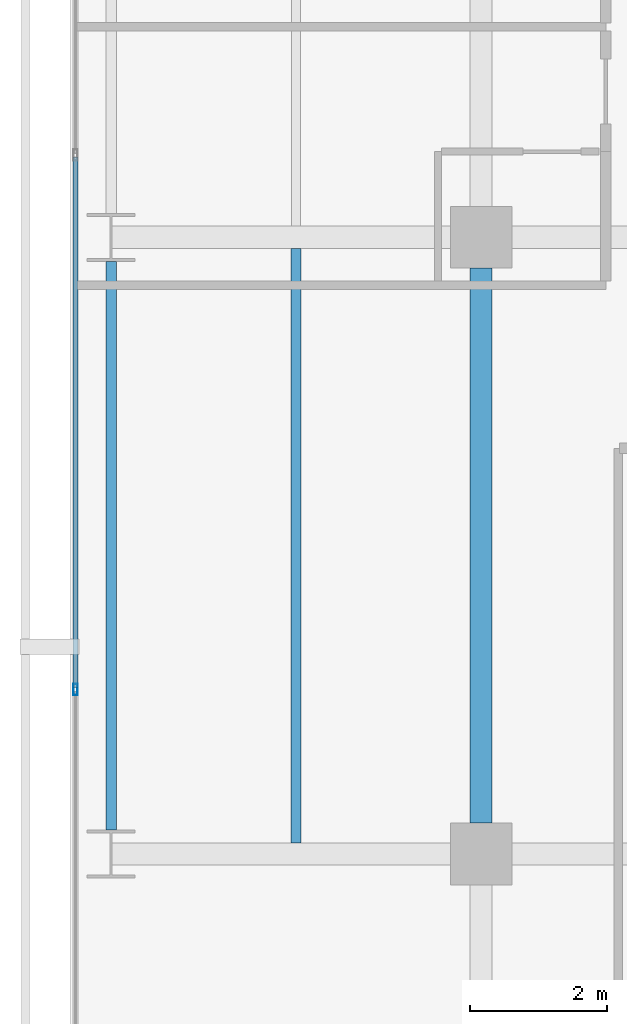
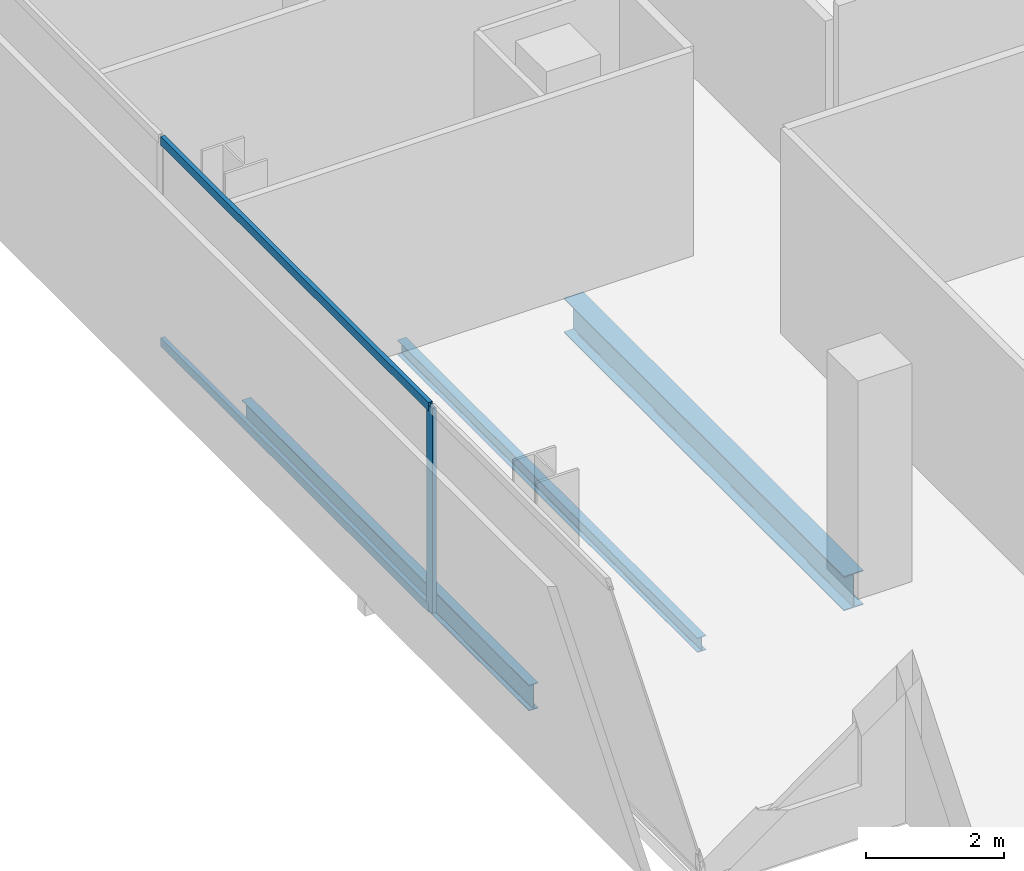
# One storey, part 5 of 40: 3 beams, 3 members, 1 element without a shape of its own.
"""IFC4 building model written with IfcOpenShell, lengths in metres."""

from ifc_helpers import new_model, si_unit, direction, frame, origin, origin_2d, place, context, subcontext, project, spatial, hollow_rectangle, i_section, extrude, material, layer, layer_set, material_profile, profile_set, type_object, element, aggregate, save


model = new_model("IFC4")

# Units and contexts
model_context = context("Model", 3, precision=1e-05, world=origin(), true_north=direction((0.0, 1.0)))
body_context = subcontext(model_context, "Body", "Model", "MODEL_VIEW")
ifc_project = project(units=[si_unit("LENGTHUNIT", "METRE"), si_unit("AREAUNIT", "SQUARE_METRE"), si_unit("VOLUMEUNIT", "CUBIC_METRE"), si_unit("PLANEANGLEUNIT", "RADIAN"), si_unit("MASSUNIT", "GRAM", prefix="KILO")], contexts=[model_context])

# Site, building, storey
site_placement = place(None, origin())
site = spatial("IfcSite", under=ifc_project, at=site_placement, CompositionType="ELEMENT")
building_placement = place(site_placement, origin())
building = spatial("IfcBuilding", under=site, at=building_placement, Name="Maruvema Waterfront Hotel and Observation Tower", CompositionType="ELEMENT")
storey_placement = place(building_placement, frame((0.0, 0.0, 107.800048828125)))
storey = spatial("IfcBuildingStorey", under=building, at=storey_placement, Name="L26", CompositionType="ELEMENT", Elevation=107.800048828125)

# Curtain wall, members
ifc_material_1 = material(Name="Anodised bronze aluminium and solar-control low-E IGU", Category="aluminium")
ifc_layer = layer(ifc_material_1, 0.159912109375, Name="Zone 1 Bronze Inner Thermal Curtain Wall System CW-02")
ifc_layer_set = layer_set([ifc_layer], Name="Anodised bronze aluminium and solar-control low-E IGU")
curtain_wall_type = type_object("IfcCurtainWallType", Name="Zone 1 Bronze Inner Thermal Curtain Wall System CW-02", PredefinedType="USERDEFINED", material=ifc_layer_set)
curtain_wall_placement = place(storey_placement, origin())
curtain_wall = element("IfcCurtainWall", 1, at=curtain_wall_placement, inside=storey, type_object=curtain_wall_type, Name="L26 Curtain Wall CW-L26-W", ObjectType="UNITISED CURTAIN WALL", PredefinedType="USERDEFINED")
ifc_material_2 = material(Name="Anodised architectural bronze aluminium", Category="aluminium")
ifc_material_profile_1 = material_profile(ifc_material_2, hollow_rectangle(XDim=0.070068359375, YDim=0.14990234375, WallThickness=0.00390625, at=origin_2d()), Name="ALU-T70x150")
ifc_profile_set_1 = profile_set([ifc_material_profile_1], Name="Anodised architectural bronze aluminium")
member_type_1 = type_object("IfcMemberType", Name="Curtain Wall Horizontal Transom ALU-T70x150", PredefinedType="USERDEFINED", material=ifc_profile_set_1)
member_1_placement = place(storey_placement, frame((10.8798828125, 19.169921875, 0.030029296875), z_axis=(0.0, -1.0, 0.0), x_axis=(1.0, 0.0, 0.0)))
member_1 = element("IfcMember", 2, at=member_1_placement, type_object=member_type_1, Name="CW-02 transom 5.1", ObjectType="TRANSOM", PredefinedType="USERDEFINED", context=body_context, shape_type="SweptSolid", body=[
    extrude(hollow_rectangle(XDim=0.070068359375, YDim=0.14990234375, WallThickness=0.00390625, at=origin_2d()), origin(), (0.0, 0.0, 1.0), 7.739990234375),
])
member_2_placement = place(storey_placement, frame((10.8798828125, 19.169921875, 3.579833984375), z_axis=(0.0, -1.0, 0.0), x_axis=(1.0, 0.0, 0.0)))
member_2 = element("IfcMember", 3, at=member_2_placement, type_object=member_type_1, Name="CW-02 transom 5.2", ObjectType="TRANSOM", PredefinedType="USERDEFINED", context=body_context, shape_type="SweptSolid", body=[
    extrude(hollow_rectangle(XDim=0.070068359375, YDim=0.14990234375, WallThickness=0.00390625, at=origin_2d()), origin(), (0.0, 0.0, 1.0), 7.739990234375),
])
ifc_material_3 = material(Name="Anodised architectural bronze aluminium", Category="aluminium")
ifc_material_profile_2 = material_profile(ifc_material_3, hollow_rectangle(XDim=0.06494140625, YDim=0.1650390625, WallThickness=0.00390625, at=origin_2d()), Name="ALU-M65x165")
ifc_profile_set_2 = profile_set([ifc_material_profile_2], Name="Anodised architectural bronze aluminium")
member_type_2 = type_object("IfcMemberType", Name="Curtain Wall Primary Mullion ALU-M65x165", PredefinedType="MULLION", material=ifc_profile_set_2)
member_3_placement = place(storey_placement, frame((10.8798828125, 11.39990234375, 0.0), z_axis=(0.0, 0.0, 1.0), x_axis=(1.0, 0.0, 0.0)))
member_3 = element("IfcMember", 4, at=member_3_placement, type_object=member_type_2, Name="CW-02 mullion 6", PredefinedType="MULLION", context=body_context, shape_type="SweptSolid", body=[
    extrude(hollow_rectangle(XDim=0.06494140625, YDim=0.1650390625, WallThickness=0.00390625, at=origin_2d()), origin(), (0.0, 0.0, 1.0), 3.60986328125),
])
aggregate(curtain_wall, [member_3, member_1, member_2])

# Beams
ifc_material_4 = material(Name="Steel ASTM A572 Grade 50", Category="steel")
ifc_material_profile_3 = material_profile(ifc_material_4, i_section(OverallWidth=0.153076171875, OverallDepth=0.455078125, WebThickness=0.008056640625, FlangeThickness=0.01318359375, FilletRadius=0.014892578125, at=origin_2d()), Name="W460x60.0")
ifc_profile_set_3 = profile_set([ifc_material_profile_3], Name="Steel ASTM A572 Grade 50")
beam_type_1 = type_object("IfcBeamType", Name="Perimeter Spandrel Beam W460x60.0", PredefinedType="SPANDREL", material=ifc_profile_set_3)
beam_1_placement = place(storey_placement, frame((11.39990234375, 9.35009765625, -0.467529296875), z_axis=(0.0, 1.0, 0.0), x_axis=(-1.0, 0.0, 0.0)))
element("IfcBeam", 5, at=beam_1_placement, inside=storey, type_object=beam_type_1, Name="L26 Floor Girder NS-01", PredefinedType="SPANDREL", context=body_context, shape_type="SweptSolid", body=[
    extrude(i_section(OverallWidth=0.153076171875, OverallDepth=0.455078125, WebThickness=0.008056640625, FlangeThickness=0.01318359375, FilletRadius=0.014892578125, at=origin_2d()), origin(), (0.0, 0.0, 1.0), 8.2998046875),
])
ifc_material_5 = material(Name="Steel ASTM A572 Grade 50", Category="steel")
ifc_material_profile_4 = material_profile(ifc_material_5, i_section(OverallWidth=0.323974609375, OverallDepth=0.611083984375, WebThickness=0.0126953125, FlangeThickness=0.01904296875, FilletRadius=0.01806640625, at=origin_2d()), Name="W610x155.0")
ifc_profile_set_4 = profile_set([ifc_material_profile_4], Name="Steel ASTM A572 Grade 50")
beam_type_2 = type_object("IfcBeamType", Name="Primary Floor Girder W610x155.0", PredefinedType="BEAM", material=ifc_profile_set_4)
beam_2_placement = place(storey_placement, frame((16.800048828125, 9.449951171875, -0.545654296875), z_axis=(0.0, 1.0, 0.0), x_axis=(-1.0, 0.0, 0.0)))
element("IfcBeam", 6, at=beam_2_placement, inside=storey, type_object=beam_type_2, Name="L26 Floor Girder NS-06", PredefinedType="BEAM", context=body_context, shape_type="SweptSolid", body=[
    extrude(i_section(OverallWidth=0.323974609375, OverallDepth=0.611083984375, WebThickness=0.0126953125, FlangeThickness=0.01904296875, FilletRadius=0.01806640625, at=origin_2d()), origin(), (0.0, 0.0, 1.0), 8.10009765625),
])
ifc_material_6 = material(Name="Steel ASTM A572 Grade 50", Category="steel")
ifc_material_profile_5 = material_profile(ifc_material_6, i_section(OverallWidth=0.14599609375, OverallDepth=0.258056640625, WebThickness=0.006103515625, FlangeThickness=0.009033203125, FilletRadius=0.012939453125, at=origin_2d()), Name="W250x32.7")
ifc_profile_set_5 = profile_set([ifc_material_profile_5], Name="Steel ASTM A572 Grade 50")
beam_type_3 = type_object("IfcBeamType", Name="Secondary Floor Joist W250x32.7", PredefinedType="JOIST", material=ifc_profile_set_5)
beam_3_placement = place(storey_placement, frame((14.10009765625, 9.162109375, -0.369140625), z_axis=(0.0, 1.0, 0.0), x_axis=(-1.0, 0.0, 0.0)))
element("IfcBeam", 7, at=beam_3_placement, inside=storey, type_object=beam_type_3, Name="L26 Secondary Floor Joist JS-01", PredefinedType="JOIST", context=body_context, shape_type="SweptSolid", body=[
    extrude(i_section(OverallWidth=0.14599609375, OverallDepth=0.258056640625, WebThickness=0.006103515625, FlangeThickness=0.009033203125, FilletRadius=0.012939453125, at=origin_2d()), origin(), (0.0, 0.0, 1.0), 8.67578125),
])

save(model, "model.ifc")
